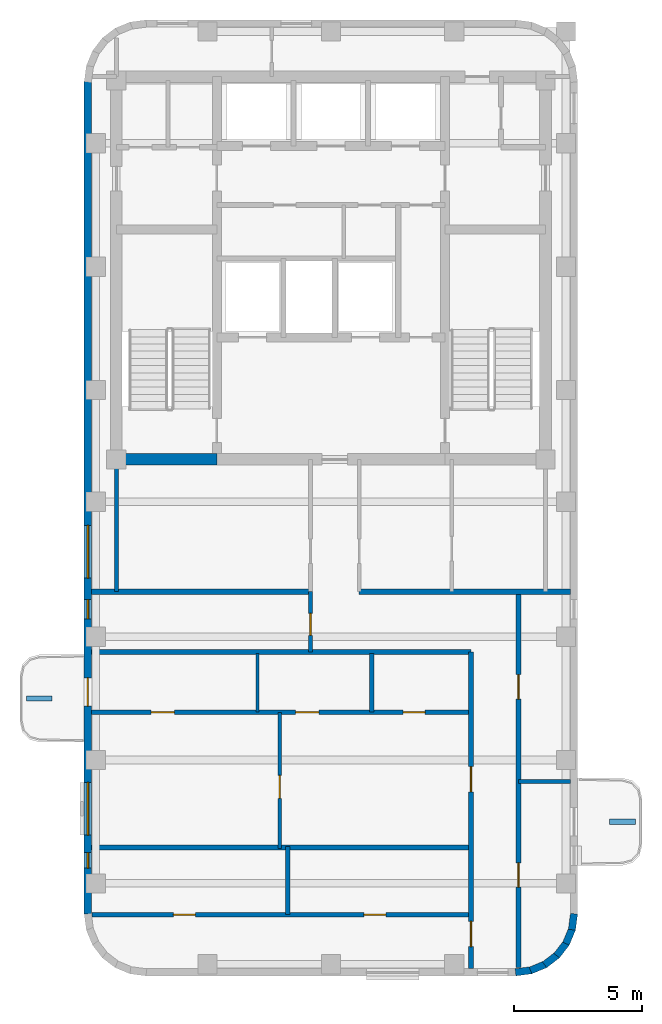
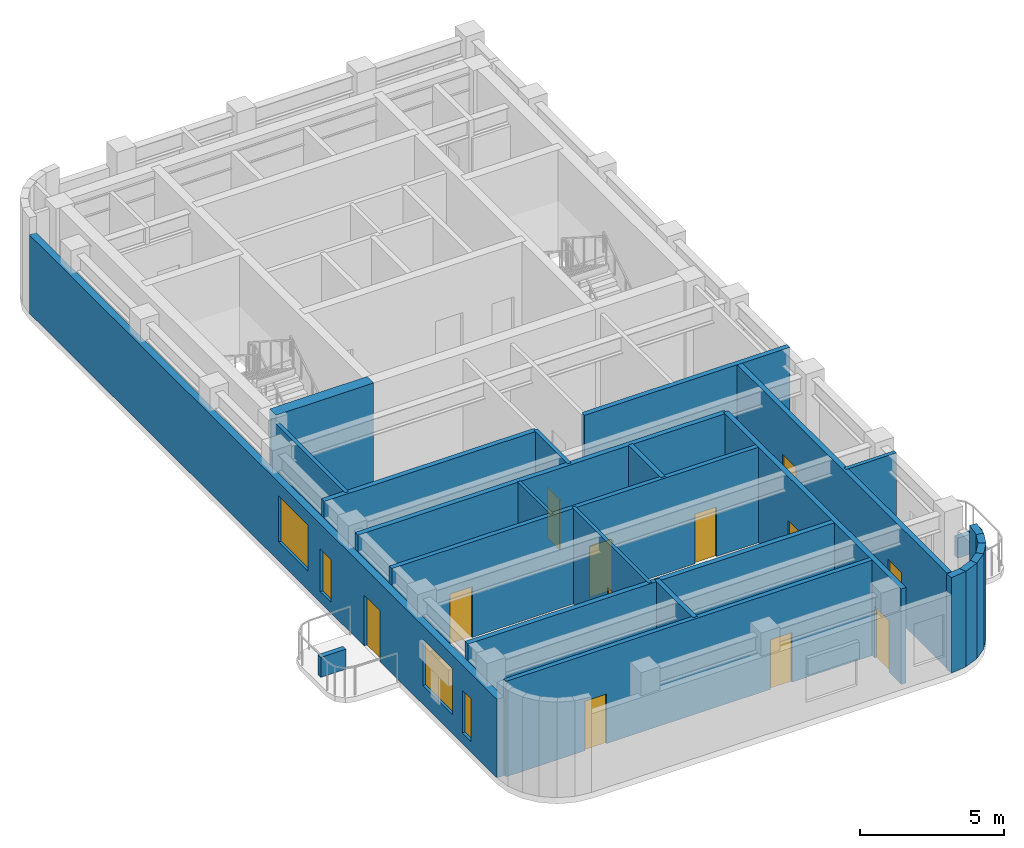
# One storey, part 2 of 5: 25 walls, 12 doors, 4 windows, 16 openings.
"""IFC4 building model written with IfcOpenShell, lengths in metres."""

from ifc_helpers import new_model, si_unit, direction, frame, frame_2d, origin, place, context, subcontext, project, spatial, rectangle, extrude, material, layer, layer_set, type_object, element, fill, save


model = new_model("IFC4")

# Units and contexts
model_context = context("Model", 3, precision=1e-05, world=origin(), true_north=direction((0.0, 1.0)))
body_context = subcontext(model_context, "Body", "Model", "MODEL_VIEW")
ifc_project = project(units=[si_unit("LENGTHUNIT", "METRE"), si_unit("AREAUNIT", "SQUARE_METRE"), si_unit("VOLUMEUNIT", "CUBIC_METRE"), si_unit("PLANEANGLEUNIT", "RADIAN"), si_unit("MASSUNIT", "GRAM", prefix="KILO")], contexts=[model_context])

# Site, building, storey
site_placement = place(None, origin())
site = spatial("IfcSite", under=ifc_project, at=site_placement, CompositionType="ELEMENT")
building_placement = place(site_placement, origin())
building = spatial("IfcBuilding", under=site, at=building_placement, Name="Orvandelia Arch Residences", CompositionType="ELEMENT")
storey_placement = place(building_placement, frame((0.0, 0.0, 282.800048828125)))
storey = spatial("IfcBuildingStorey", under=building, at=storey_placement, Name="L73", CompositionType="ELEMENT", Elevation=282.800048828125)

# Wall
ifc_material_1 = material(Name="Concrete C50/60", Category="concrete")
ifc_layer_1 = layer(ifc_material_1, 0.449951171875, Name="Concrete C50/60", Category="concrete")
ifc_layer_set_1 = layer_set([ifc_layer_1], Name="Concrete C50/60")
wall_type_1 = type_object("IfcWallType", Name="WL-CORE-450", PredefinedType="SHEAR", material=ifc_layer_set_1)
wall_1_placement = place(storey_placement, frame((6.050048828125, 30.89990234375, 0.0), z_axis=(0.0, 0.0, 1.0), x_axis=(1.0, 0.0, 0.0)))
element("IfcWall", 1, at=wall_1_placement, inside=storey, type_object=wall_type_1, Name="Core Shear Wall L73-SW", PredefinedType="SHEAR", context=body_context, shape_type="SweptSolid", body=[
    extrude(rectangle(XDim=3.909912109375, YDim=0.449951171875, at=frame_2d((1.955078125, 0.0))), origin(), (0.0, 0.0, 1.0), 4.300048828125),
])

# Wall, openings, doors
ifc_material_2 = material(Name="Fire-Rated Corridor Partition")
ifc_layer_2 = layer(ifc_material_2, 0.199951171875, Name="Fire-Rated Corridor Partition")
ifc_layer_set_2 = layer_set([ifc_layer_2], Name="Fire-Rated Corridor Partition")
wall_type_2 = type_object("IfcWallType", Name="WL-CORR-200", PredefinedType="PARTITIONING", material=ifc_layer_set_2)
wall_2_placement = place(storey_placement, frame((19.85009765625, 11.080078125, 0.0), z_axis=(0.0, 0.0, 1.0), x_axis=(0.0, 1.0, 0.0)))
wall_2 = element("IfcWall", 2, at=wall_2_placement, inside=storey, type_object=wall_type_2, Name="Interior Partition Wall WL-L73-WC-W", PredefinedType="PARTITIONING", context=body_context, shape_type="SweptSolid", body=[
    extrude(rectangle(XDim=12.31982421875, YDim=0.199951171875, at=frame_2d((6.159912109375, 0.0))), origin(), (0.0, 0.0, 1.0), 4.0400390625),
])
opening_1_placement = place(wall_2_placement, frame((0.860107421875, 0.0, 0.0)))
opening_1 = element("IfcOpeningElement", 3, at=opening_1_placement, cuts=wall_2, Name="Opening D1", PredefinedType="OPENING", context=body_context, shape_type="SweptSolid", body=[
    extrude(rectangle(XDim=0.97998046875, YDim=2.179931640625, at=frame_2d((0.489990234375, 1.08984375))), frame((0.0, 0.10986328125, 0.0), z_axis=(0.0, -1.0, 0.0), x_axis=(1.0, 0.0, 0.0)), (0.0, 0.0, 1.0), 0.219970703125),
])
opening_2_placement = place(wall_2_placement, frame((6.8798828125, 0.0, 0.0)))
opening_2 = element("IfcOpeningElement", 4, at=opening_2_placement, cuts=wall_2, Name="Opening D1", PredefinedType="OPENING", context=body_context, shape_type="SweptSolid", body=[
    extrude(rectangle(XDim=0.97998046875, YDim=2.179931640625, at=frame_2d((0.489990234375, 1.08984375))), frame((0.0, 0.10986328125, 0.0), z_axis=(0.0, -1.0, 0.0), x_axis=(1.0, 0.0, 0.0)), (0.0, 0.0, 1.0), 0.219970703125),
])
ifc_material_3 = material(Name="Solid-Core Timber Acoustic Fire Door", Category="wood")
door_type_1 = type_object("IfcDoorType", Name="DR-ENT-980", OperationType="NOTDEFINED", PredefinedType="DOOR", material=ifc_material_3)
door_1_placement = place(opening_1_placement, origin())
door_1 = element("IfcDoor", 5, at=door_1_placement, inside=storey, type_object=door_type_1, Name="Unit L73-01 Entrance Door", OperationType="SINGLE_SWING_LEFT", OverallHeight=2.179931640625, OverallWidth=0.97998046875, PredefinedType="DOOR", context=body_context, shape_type="SweptSolid", body=[
    extrude(rectangle(XDim=0.97998046875, YDim=2.179931640625, at=frame_2d((0.489990234375, 1.08984375))), frame((0.0, 0.02490234375, 0.0), z_axis=(0.0, -1.0, 0.0), x_axis=(1.0, 0.0, 0.0)), (0.0, 0.0, 1.0), 0.050048828125),
])
fill(opening_1, door_1)
door_2_placement = place(opening_2_placement, origin())
door_2 = element("IfcDoor", 6, at=door_2_placement, inside=storey, type_object=door_type_1, Name="Unit L73-02 Entrance Door", OperationType="SINGLE_SWING_RIGHT", OverallHeight=2.179931640625, OverallWidth=0.97998046875, PredefinedType="DOOR", context=body_context, shape_type="SweptSolid", body=[
    extrude(rectangle(XDim=0.97998046875, YDim=2.179931640625, at=frame_2d((0.489990234375, 1.08984375))), frame((0.0, 0.02490234375, 0.0), z_axis=(0.0, -1.0, 0.0), x_axis=(1.0, 0.0, 0.0)), (0.0, 0.0, 1.0), 0.050048828125),
])
fill(opening_2, door_2)

wall_3_placement = place(storey_placement, frame((21.699951171875, 11.1201171875, 0.0), z_axis=(0.0, 0.0, 1.0), x_axis=(0.0, 1.0, 0.0)))
wall_3 = element("IfcWall", 7, at=wall_3_placement, inside=storey, type_object=wall_type_2, Name="Interior Partition Wall WL-L73-WC-E", PredefinedType="PARTITIONING", context=body_context, shape_type="SweptSolid", body=[
    extrude(rectangle(XDim=14.6298828125, YDim=0.199951171875, at=frame_2d((7.31494140625, 0.0))), origin(), (0.0, 0.0, 1.0), 4.0400390625),
])
opening_3_placement = place(wall_3_placement, frame((3.1298828125, 0.0, 0.0)))
opening_3 = element("IfcOpeningElement", 8, at=opening_3_placement, cuts=wall_3, Name="Opening D2", PredefinedType="OPENING", context=body_context, shape_type="SweptSolid", body=[
    extrude(rectangle(XDim=0.949951171875, YDim=2.14990234375, at=frame_2d((0.47509765625, 1.074951171875))), frame((0.0, 0.10986328125, 0.0), z_axis=(0.0, -1.0, 0.0), x_axis=(1.0, 0.0, 0.0)), (0.0, 0.0, 1.0), 0.219970703125),
])
opening_4_placement = place(wall_3_placement, frame((10.449951171875, 0.0, 0.0)))
opening_4 = element("IfcOpeningElement", 9, at=opening_4_placement, cuts=wall_3, Name="Opening D2", PredefinedType="OPENING", context=body_context, shape_type="SweptSolid", body=[
    extrude(rectangle(XDim=0.949951171875, YDim=2.14990234375, at=frame_2d((0.47509765625, 1.074951171875))), frame((0.0, 0.10986328125, 0.0), z_axis=(0.0, -1.0, 0.0), x_axis=(1.0, 0.0, 0.0)), (0.0, 0.0, 1.0), 0.219970703125),
])
ifc_material_4 = material(Name="Solid-Core Timber Interior Fire Door", Category="wood")
door_type_2 = type_object("IfcDoorType", Name="DR-APT-950", OperationType="NOTDEFINED", PredefinedType="DOOR", material=ifc_material_4)
door_3_placement = place(opening_3_placement, origin())
door_3 = element("IfcDoor", 10, at=door_3_placement, inside=storey, type_object=door_type_2, Name="DR-L73-EGALV1", OperationType="SINGLE_SWING_LEFT", OverallHeight=2.14990234375, OverallWidth=0.949951171875, PredefinedType="DOOR", context=body_context, shape_type="SweptSolid", body=[
    extrude(rectangle(XDim=0.949951171875, YDim=2.14990234375, at=frame_2d((0.47509765625, 1.074951171875))), frame((0.0, 0.02490234375, 0.0), z_axis=(0.0, -1.0, 0.0), x_axis=(1.0, 0.0, 0.0)), (0.0, 0.0, 1.0), 0.050048828125),
])
fill(opening_3, door_3)
door_4_placement = place(opening_4_placement, origin())
door_4 = element("IfcDoor", 11, at=door_4_placement, inside=storey, type_object=door_type_2, Name="DR-L73-EGLDY1", OperationType="SINGLE_SWING_RIGHT", OverallHeight=2.14990234375, OverallWidth=0.949951171875, PredefinedType="DOOR", context=body_context, shape_type="SweptSolid", body=[
    extrude(rectangle(XDim=0.949951171875, YDim=2.14990234375, at=frame_2d((0.47509765625, 1.074951171875))), frame((0.0, 0.02490234375, 0.0), z_axis=(0.0, -1.0, 0.0), x_axis=(1.0, 0.0, 0.0)), (0.0, 0.0, 1.0), 0.050048828125),
])
fill(opening_4, door_4)

# Walls
wall_4_placement = place(storey_placement, frame((5.080078125, 23.39990234375, 0.0), z_axis=(0.0, 0.0, 1.0), x_axis=(1.0, 0.0, 0.0)))
element("IfcWall", 12, at=wall_4_placement, inside=storey, type_object=wall_type_2, Name="Interior Partition Wall WL-L73-WLNK-S", PredefinedType="PARTITIONING", context=body_context, shape_type="SweptSolid", body=[
    extrude(rectangle(XDim=14.77001953125, YDim=0.199951171875, at=frame_2d((7.385009765625, 0.0))), origin(), (0.0, 0.0, 1.0), 4.0400390625),
])
wall_5_placement = place(storey_placement, frame((15.5, 25.75, 0.0), z_axis=(0.0, 0.0, 1.0), x_axis=(1.0, 0.0, 0.0)))
element("IfcWall", 13, at=wall_5_placement, inside=storey, type_object=wall_type_2, Name="Interior Partition Wall WL-L73-WLNK-NE", PredefinedType="PARTITIONING", context=body_context, shape_type="SweptSolid", body=[
    extrude(rectangle(XDim=8.219970703125, YDim=0.199951171875, at=frame_2d((4.10986328125, 0.0))), origin(), (0.0, 0.0, 1.0), 4.0400390625),
])
wall_6_placement = place(storey_placement, frame((5.080078125, 25.75, 0.0), z_axis=(0.0, 0.0, 1.0), x_axis=(1.0, 0.0, 0.0)))
element("IfcWall", 14, at=wall_6_placement, inside=storey, type_object=wall_type_2, Name="Interior Partition Wall WL-L73-WLNK-NW2", PredefinedType="PARTITIONING", context=body_context, shape_type="SweptSolid", body=[
    extrude(rectangle(XDim=8.52001953125, YDim=0.199951171875, at=frame_2d((4.260009765625, 0.0))), origin(), (0.0, 0.0, 1.0), 4.0400390625),
])
ifc_material_5 = material(Name="Concrete C40/50", Category="concrete")
ifc_layer_3 = layer(ifc_material_5, 0.199951171875, Name="Concrete C40/50", Category="concrete")
ifc_layer_set_3 = layer_set([ifc_layer_3], Name="Concrete C40/50")
wall_type_3 = type_object("IfcWallType", Name="WL-DEM-200", PredefinedType="SOLIDWALL", material=ifc_layer_set_3)
wall_7_placement = place(storey_placement, frame((5.080078125, 15.800048828125, 0.0), z_axis=(0.0, 0.0, 1.0), x_axis=(1.0, 0.0, 0.0)))
element("IfcWall", 15, at=wall_7_placement, inside=storey, type_object=wall_type_3, Name="Interior Partition Wall WL-L73-DEM-WL-158", PredefinedType="SOLIDWALL", context=body_context, shape_type="SweptSolid", body=[
    extrude(rectangle(XDim=14.77001953125, YDim=0.199951171875, at=frame_2d((7.385009765625, 0.0))), origin(), (0.0, 0.0, 1.0), 4.0400390625),
])
ifc_material_6 = material(Name="Precast concrete C40/50", Category="concrete")
ifc_layer_4 = layer(ifc_material_6, 0.280029296875, Name="Precast concrete C40/50", Category="concrete")
ifc_layer_set_4 = layer_set([ifc_layer_4], Name="Precast concrete C40/50")
wall_type_4 = type_object("IfcWallType", Name="WL-EXT-STONE-280", PredefinedType="STANDARD", material=ifc_layer_set_4)
wall_8_placement = place(storey_placement, frame((23.861083984375, 13.21826171875, 0.0), z_axis=(0.0, 0.0, 1.0), x_axis=(-0.130555323746, -0.9914410257, 0.0)))
element("IfcWall", 16, at=wall_8_placement, inside=storey, type_object=wall_type_4, Name="Coral-Limestone Precast Facade Wall L73-015", PredefinedType="STANDARD", context=body_context, shape_type="SweptSolid", body=[
    extrude(rectangle(XDim=0.62646484375, YDim=0.280029296875, at=frame_2d((0.313232421875, 0.0))), origin(), (0.0, 0.0, 1.0), 4.0400390625),
])
wall_9_placement = place(storey_placement, frame((23.788818359375, 12.63232421875, 0.0), z_axis=(0.0, 0.0, 1.0), x_axis=(-0.382455093999, -0.923974080304, 0.0)))
element("IfcWall", 17, at=wall_9_placement, inside=storey, type_object=wall_type_4, Name="Coral-Limestone Precast Facade Wall L73-016", PredefinedType="STANDARD", context=body_context, shape_type="SweptSolid", body=[
    extrude(rectangle(XDim=0.626220703125, YDim=0.280029296875, at=frame_2d((0.31298828125, 0.0))), origin(), (0.0, 0.0, 1.0), 4.0400390625),
])
for number, where, z_axis, x_axis, name in (
    (18, (23.5673828125, 12.085205078125, 0.0), (0.0, 0.0, 1.0), (-0.608693302629, -0.793405610854, 0.0), "Coral-Limestone Precast Facade Wall L73-017"),
    (19, (23.2119140625, 11.614013671875, 0.0), (0.0, 0.0, 1.0), (-0.793405610854, -0.608693302629, 0.0), "Coral-Limestone Precast Facade Wall L73-018"),
    (20, (22.746337890625, 11.250732421875, 0.0), (0.0, 0.0, 1.0), (-0.92389335771, -0.382650053678, 0.0), "Coral-Limestone Precast Facade Wall L73-019"),
    (21, (22.202880859375, 11.0205078125, 0.0), (0.0, 0.0, 1.0), (-0.9914410257, -0.130555323746, 0.0), "Coral-Limestone Precast Facade Wall L73-020"),
):
    element("IfcWall", number, at=place(storey_placement, frame(where, z_axis=z_axis, x_axis=x_axis)), inside=storey, type_object=wall_type_4, Name=name, PredefinedType="STANDARD", context=body_context, shape_type="SweptSolid", body=[
        extrude(rectangle(XDim=0.62646484375, YDim=0.280029296875, at=frame_2d((0.313232421875, 0.0))), origin(), (0.0, 0.0, 1.0), 4.0400390625),
    ])

# Wall, openings, door, windows
wall_10_placement = place(storey_placement, frame((4.93994140625, 13.199951171875, 0.0), z_axis=(0.0, 0.0, 1.0), x_axis=(0.0, 1.0, 0.0)))
wall_10 = element("IfcWall", 22, at=wall_10_placement, inside=storey, type_object=wall_type_4, Name="Coral-Limestone Precast Facade Wall L73-028", PredefinedType="STANDARD", context=body_context, shape_type="SweptSolid", body=[
    extrude(rectangle(XDim=32.400146484375, YDim=0.280029296875, at=frame_2d((16.2001953125, 0.0))), origin(), (0.0, 0.0, 1.0), 3.320068359375),
])
opening_5_placement = place(wall_10_placement, frame((8.10009765625, 0.0, 0.0)))
opening_5 = element("IfcOpeningElement", 23, at=opening_5_placement, cuts=wall_10, Name="Opening BD1", PredefinedType="OPENING", context=body_context, shape_type="SweptSolid", body=[
    extrude(rectangle(XDim=1.10009765625, YDim=2.14990234375, at=frame_2d((0.550048828125, 1.074951171875))), frame((0.0, 0.14990234375, 0.0), z_axis=(0.0, -1.0, 0.0), x_axis=(1.0, 0.0, 0.0)), (0.0, 0.0, 1.0), 0.300048828125),
])
opening_6_placement = place(wall_10_placement, frame((1.797607421875, 0.0, 0.449951171875)))
opening_6 = element("IfcOpeningElement", 24, at=opening_6_placement, cuts=wall_10, Name="Opening W12", PredefinedType="OPENING", context=body_context, shape_type="SweptSolid", body=[
    extrude(rectangle(XDim=0.60009765625, YDim=1.800048828125, at=frame_2d((0.300048828125, 0.89990234375))), frame((0.0, 0.14990234375, 0.0), z_axis=(0.0, -1.0, 0.0), x_axis=(1.0, 0.0, 0.0)), (0.0, 0.0, 1.0), 0.300048828125),
])
opening_7_placement = place(wall_10_placement, frame((3.077392578125, 0.0, 0.800048828125)))
opening_7 = element("IfcOpeningElement", 25, at=opening_7_placement, cuts=wall_10, Name="Opening W8", PredefinedType="OPENING", context=body_context, shape_type="SweptSolid", body=[
    extrude(rectangle(XDim=2.050048828125, YDim=1.949951171875, at=frame_2d((1.02490234375, 0.97509765625))), frame((0.0, 0.14990234375, 0.0), z_axis=(0.0, -1.0, 0.0), x_axis=(1.0, 0.0, 0.0)), (0.0, 0.0, 1.0), 0.300048828125),
])
opening_8_placement = place(wall_10_placement, frame((13.08251953125, 0.0, 0.800048828125)))
opening_8 = element("IfcOpeningElement", 26, at=opening_8_placement, cuts=wall_10, Name="Opening W8", PredefinedType="OPENING", context=body_context, shape_type="SweptSolid", body=[
    extrude(rectangle(XDim=2.050048828125, YDim=1.949951171875, at=frame_2d((1.02490234375, 0.97509765625))), frame((0.0, 0.14990234375, 0.0), z_axis=(0.0, -1.0, 0.0), x_axis=(1.0, 0.0, 0.0)), (0.0, 0.0, 1.0), 0.300048828125),
])
opening_9_placement = place(wall_10_placement, frame((11.492431640625, 0.0, 0.449951171875)))
opening_9 = element("IfcOpeningElement", 27, at=opening_9_placement, cuts=wall_10, Name="Opening W11", PredefinedType="OPENING", context=body_context, shape_type="SweptSolid", body=[
    extrude(rectangle(XDim=0.75, YDim=1.800048828125, at=frame_2d((0.375, 0.89990234375))), frame((0.0, 0.14990234375, 0.0), z_axis=(0.0, -1.0, 0.0), x_axis=(1.0, 0.0, 0.0)), (0.0, 0.0, 1.0), 0.300048828125),
])
ifc_material_7 = material(Name="Thermally Broken Aluminium Glazed Door", Category="aluminium")
door_type_3 = type_object("IfcDoorType", Name="DR-BAL-GLAZ-1100", OperationType="NOTDEFINED", PredefinedType="DOOR", material=ifc_material_7)
door_5_placement = place(opening_5_placement, origin())
door_5 = element("IfcDoor", 28, at=door_5_placement, inside=storey, type_object=door_type_3, Name="Tree Balcony Glazed Door BAL-L73-W1", OperationType="SINGLE_SWING_RIGHT", OverallHeight=2.14990234375, OverallWidth=1.10009765625, PredefinedType="DOOR", context=body_context, shape_type="SweptSolid", body=[
    extrude(rectangle(XDim=1.10009765625, YDim=2.14990234375, at=frame_2d((0.550048828125, 1.074951171875))), frame((0.0, 0.02490234375, 0.0), z_axis=(0.0, -1.0, 0.0), x_axis=(1.0, 0.0, 0.0)), (0.0, 0.0, 1.0), 0.050048828125),
])
fill(opening_5, door_5)
ifc_material_8 = material(Name="Tempered Low-E Insulated Glazing", Category="glass")
window_type_1 = type_object("IfcWindowType", Name="WIN-BED-0750x1800", PartitioningType="SINGLE_PANEL", PredefinedType="WINDOW", material=ifc_material_8)
window_1_placement = place(opening_9_placement, origin())
window_1 = element("IfcWindow", 29, at=window_1_placement, inside=storey, type_object=window_type_1, Name="Recessed Punched Window L73-011", OverallHeight=1.800048828125, OverallWidth=0.75, PartitioningType="SINGLE_PANEL", PredefinedType="WINDOW", context=body_context, shape_type="SweptSolid", body=[
    extrude(rectangle(XDim=0.75, YDim=1.800048828125, at=frame_2d((0.375, 0.89990234375))), frame((0.0, 0.030029296875, 0.0), z_axis=(0.0, -1.0, 0.0), x_axis=(1.0, 0.0, 0.0)), (0.0, 0.0, 1.0), 0.06005859375),
])
fill(opening_9, window_1)
window_type_2 = type_object("IfcWindowType", Name="WIN-LAN-0600x1800", PartitioningType="SINGLE_PANEL", PredefinedType="WINDOW", material=ifc_material_8)
window_2_placement = place(opening_6_placement, origin())
window_2 = element("IfcWindow", 30, at=window_2_placement, inside=storey, type_object=window_type_2, Name="Recessed Punched Window L73-008", OverallHeight=1.800048828125, OverallWidth=0.60009765625, PartitioningType="SINGLE_PANEL", PredefinedType="WINDOW", context=body_context, shape_type="SweptSolid", body=[
    extrude(rectangle(XDim=0.60009765625, YDim=1.800048828125, at=frame_2d((0.300048828125, 0.89990234375))), frame((0.0, 0.030029296875, 0.0), z_axis=(0.0, -1.0, 0.0), x_axis=(1.0, 0.0, 0.0)), (0.0, 0.0, 1.0), 0.06005859375),
])
fill(opening_6, window_2)
window_type_3 = type_object("IfcWindowType", Name="WIN-UPP-2050x1950", PartitioningType="SINGLE_PANEL", PredefinedType="WINDOW", material=ifc_material_8)
window_3_placement = place(opening_7_placement, origin())
window_3 = element("IfcWindow", 31, at=window_3_placement, inside=storey, type_object=window_type_3, Name="Recessed Punched Window L73-009", OverallHeight=1.949951171875, OverallWidth=2.050048828125, PartitioningType="SINGLE_PANEL", PredefinedType="WINDOW", context=body_context, shape_type="SweptSolid", body=[
    extrude(rectangle(XDim=2.050048828125, YDim=1.949951171875, at=frame_2d((1.02490234375, 0.97509765625))), frame((0.0, 0.030029296875, 0.0), z_axis=(0.0, -1.0, 0.0), x_axis=(1.0, 0.0, 0.0)), (0.0, 0.0, 1.0), 0.06005859375),
])
fill(opening_7, window_3)
window_4_placement = place(opening_8_placement, origin())
window_4 = element("IfcWindow", 32, at=window_4_placement, inside=storey, type_object=window_type_3, Name="Recessed Punched Window L73-010", OverallHeight=1.949951171875, OverallWidth=2.050048828125, PartitioningType="SINGLE_PANEL", PredefinedType="WINDOW", context=body_context, shape_type="SweptSolid", body=[
    extrude(rectangle(XDim=2.050048828125, YDim=1.949951171875, at=frame_2d((1.02490234375, 0.97509765625))), frame((0.0, 0.030029296875, 0.0), z_axis=(0.0, -1.0, 0.0), x_axis=(1.0, 0.0, 0.0)), (0.0, 0.0, 1.0), 0.06005859375),
])
fill(opening_8, window_4)

# Wall
ifc_material_9 = material(Name="Lightweight Gypsum Stud Partition")
ifc_layer_5 = layer(ifc_material_9, 0.1201171875, Name="Lightweight Gypsum Stud Partition")
ifc_layer_set_5 = layer_set([ifc_layer_5], Name="Lightweight Gypsum Stud Partition")
wall_type_5 = type_object("IfcWallType", Name="WL-PART-120", PredefinedType="PARTITIONING", material=ifc_layer_set_5)
wall_11_placement = place(storey_placement, frame((11.541015625, 21.06005859375, 0.0), z_axis=(0.0, 0.0, 1.0), x_axis=(0.0, 1.0, 0.0)))
element("IfcWall", 33, at=wall_11_placement, inside=storey, type_object=wall_type_5, Name="Interior Partition Wall WL-L73-U02-V1", PredefinedType="PARTITIONING", context=body_context, shape_type="SweptSolid", body=[
    extrude(rectangle(XDim=2.280029296875, YDim=0.1201171875, at=frame_2d((1.14013671875, 0.0))), origin(), (0.0, 0.0, 1.0), 4.0400390625),
])

# Wall, opening, door
ifc_material_10 = material(Name="Double-Layer Acoustic Gypsum Partition")
ifc_layer_6 = layer(ifc_material_10, 0.135009765625, Name="Double-Layer Acoustic Gypsum Partition")
ifc_layer_set_6 = layer_set([ifc_layer_6], Name="Double-Layer Acoustic Gypsum Partition")
wall_type_6 = type_object("IfcWallType", Name="WL-PART-135", PredefinedType="PARTITIONING", material=ifc_layer_set_6)
wall_12_placement = place(storey_placement, frame((12.408935546875, 15.760009765625, 0.0), z_axis=(0.0, 0.0, 1.0), x_axis=(0.0, 1.0, 0.0)))
wall_12 = element("IfcWall", 34, at=wall_12_placement, inside=storey, type_object=wall_type_6, Name="Interior Partition Wall WL-L73-U02-DIN", PredefinedType="PARTITIONING", context=body_context, shape_type="SweptSolid", body=[
    extrude(rectangle(XDim=5.300048828125, YDim=0.135009765625, at=frame_2d((2.64990234375, 0.0))), origin(), (0.0, 0.0, 1.0), 4.0400390625),
])
opening_10_placement = place(wall_12_placement, frame((1.944091796875, 0.0, 0.0)))
opening_10 = element("IfcOpeningElement", 35, at=opening_10_placement, cuts=wall_12, Name="Opening D3", PredefinedType="OPENING", context=body_context, shape_type="SweptSolid", body=[
    extrude(rectangle(XDim=0.89990234375, YDim=2.14990234375, at=frame_2d((0.449951171875, 1.074951171875))), frame((0.0, 0.07763671875, 0.0), z_axis=(0.0, -1.0, 0.0), x_axis=(1.0, 0.0, 0.0)), (0.0, 0.0, 1.0), 0.155029296875),
])
ifc_material_11 = material(Name="Engineered Timber Flush Door", Category="wood")
door_type_4 = type_object("IfcDoorType", Name="DR-INT-900", OperationType="NOTDEFINED", PredefinedType="DOOR", material=ifc_material_11)
door_6_placement = place(opening_10_placement, origin())
door_6 = element("IfcDoor", 36, at=door_6_placement, inside=storey, type_object=door_type_4, Name="DR-L73-U02-DIN", OperationType="SINGLE_SWING_LEFT", OverallHeight=2.14990234375, OverallWidth=0.89990234375, PredefinedType="DOOR", context=body_context, shape_type="SweptSolid", body=[
    extrude(rectangle(XDim=0.89990234375, YDim=2.14990234375, at=frame_2d((0.449951171875, 1.074951171875))), frame((0.0, 0.02490234375, 0.0), z_axis=(0.0, -1.0, 0.0), x_axis=(1.0, 0.0, 0.0)), (0.0, 0.0, 1.0), 0.050048828125),
])
fill(opening_10, door_6)

# Wall
ifc_material_12 = material(Name="Acoustic Gypsum Stud Partition")
ifc_layer_7 = layer(ifc_material_12, 0.14990234375, Name="Acoustic Gypsum Stud Partition")
ifc_layer_set_7 = layer_set([ifc_layer_7], Name="Acoustic Gypsum Stud Partition")
wall_type_7 = type_object("IfcWallType", Name="WL-PART-150", PredefinedType="PARTITIONING", material=ifc_layer_set_7)
wall_13_placement = place(storey_placement, frame((6.050048828125, 25.75, 0.0), z_axis=(0.0, 0.0, 1.0), x_axis=(0.0, 1.0, 0.0)))
element("IfcWall", 37, at=wall_13_placement, inside=storey, type_object=wall_type_7, Name="Interior Partition Wall WL-L73-HI-WW", PredefinedType="PARTITIONING", context=body_context, shape_type="SweptSolid", body=[
    extrude(rectangle(XDim=5.14990234375, YDim=0.14990234375, at=frame_2d((2.574951171875, 0.0))), origin(), (0.0, 0.0, 1.0), 4.0400390625),
])

# Wall, opening, door
wall_14_placement = place(storey_placement, frame((13.60009765625, 23.39990234375, 0.0), z_axis=(0.0, 0.0, 1.0), x_axis=(0.0, 1.0, 0.0)))
wall_14 = element("IfcWall", 38, at=wall_14_placement, inside=storey, type_object=wall_type_7, Name="Interior Partition Wall WL-L73-WLNK-W", PredefinedType="PARTITIONING", context=body_context, shape_type="SweptSolid", body=[
    extrude(rectangle(XDim=2.35009765625, YDim=0.14990234375, at=frame_2d((1.175048828125, 0.0))), origin(), (0.0, 0.0, 1.0), 4.0400390625),
])
opening_11_placement = place(wall_14_placement, frame((0.64990234375, 0.0, 0.0)))
opening_11 = element("IfcOpeningElement", 39, at=opening_11_placement, cuts=wall_14, Name="Opening D4", PredefinedType="OPENING", context=body_context, shape_type="SweptSolid", body=[
    extrude(rectangle(XDim=0.860107421875, YDim=2.10009765625, at=frame_2d((0.43017578125, 1.050048828125))), frame((0.0, 0.0849609375, 0.0), z_axis=(0.0, -1.0, 0.0), x_axis=(1.0, 0.0, 0.0)), (0.0, 0.0, 1.0), 0.169921875),
])
ifc_material_13 = material(Name="Moisture-Sealed Timber Bathroom Door", Category="wood")
door_type_5 = type_object("IfcDoorType", Name="DR-WET-900", OperationType="NOTDEFINED", PredefinedType="DOOR", material=ifc_material_13)
door_7_placement = place(opening_11_placement, origin())
door_7 = element("IfcDoor", 40, at=door_7_placement, inside=storey, type_object=door_type_5, Name="DR-L73-WLNKST", OperationType="SINGLE_SWING_LEFT", OverallHeight=2.10009765625, OverallWidth=0.860107421875, PredefinedType="DOOR", context=body_context, shape_type="SweptSolid", body=[
    extrude(rectangle(XDim=0.860107421875, YDim=2.10009765625, at=frame_2d((0.43017578125, 1.050048828125))), frame((0.0, 0.02490234375, 0.0), z_axis=(0.0, -1.0, 0.0), x_axis=(1.0, 0.0, 0.0)), (0.0, 0.0, 1.0), 0.050048828125),
])
fill(opening_11, door_7)

# Walls
wall_15_placement = place(storey_placement, frame((21.699951171875, 18.360107421875, 0.0), z_axis=(0.0, 0.0, 1.0), x_axis=(1.0, 0.0, 0.0)))
element("IfcWall", 41, at=wall_15_placement, inside=storey, type_object=wall_type_7, Name="Interior Partition Wall WL-L73-EGDIV-1", PredefinedType="PARTITIONING", context=body_context, shape_type="SweptSolid", body=[
    extrude(rectangle(XDim=2.02001953125, YDim=0.14990234375, at=frame_2d((1.010009765625, 0.0))), origin(), (0.0, 0.0, 1.0), 4.0400390625),
])
ifc_layer_8 = layer(ifc_material_6, 0.199951171875, Name="Precast concrete C40/50", Category="concrete")
ifc_layer_set_8 = layer_set([ifc_layer_8], Name="Precast concrete C40/50")
wall_type_8 = type_object("IfcWallType", Name="WL-PLANTER-200", PredefinedType="MOVABLE", material=ifc_layer_set_8)
for number, where, z_axis, x_axis, name in (
    (42, (2.550048828125, 21.60009765625, 0.0), (0.0, 0.0, 1.0), (1.0, 0.0, 0.0), "Balcony Precast Tree Planter BAL-L73-W1"),
    (43, (25.25, 16.800048828125, 0.0), (0.0, 0.0, 1.0), (1.0, 0.0, 0.0), "Balcony Precast Tree Planter BAL-L73-W2"),
):
    element("IfcWall", number, at=place(storey_placement, frame(where, z_axis=z_axis, x_axis=x_axis)), inside=storey, type_object=wall_type_8, Name=name, PredefinedType="MOVABLE", context=body_context, shape_type="SweptSolid", body=[
        extrude(rectangle(XDim=1.0, YDim=0.199951171875, at=frame_2d((0.5, 0.0))), origin(), (0.0, 0.0, 1.0), 0.849853515625),
    ])

# Wall, openings, doors
ifc_material_14 = material(Name="Moisture-Resistant Plumbing Wall")
ifc_layer_9 = layer(ifc_material_14, 0.179931640625, Name="Moisture-Resistant Plumbing Wall")
ifc_layer_set_9 = layer_set([ifc_layer_9], Name="Moisture-Resistant Plumbing Wall")
wall_type_9 = type_object("IfcWallType", Name="WL-WET-180", PredefinedType="PLUMBINGWALL", material=ifc_layer_set_9)
wall_16_placement = place(storey_placement, frame((5.10009765625, 13.179931640625, 0.0), z_axis=(0.0, 0.0, 1.0), x_axis=(1.0, 0.0, 0.0)))
wall_16 = element("IfcWall", 44, at=wall_16_placement, inside=storey, type_object=wall_type_9, Name="Interior Partition Wall WL-L73-U01-HZ", PredefinedType="PLUMBINGWALL", context=body_context, shape_type="SweptSolid", body=[
    extrude(rectangle(XDim=14.68994140625, YDim=0.179931640625, at=frame_2d((7.344970703125, 0.0))), origin(), (0.0, 0.0, 1.0), 4.0400390625),
])
opening_12_placement = place(wall_16_placement, frame((3.1650390625, 0.0, 0.0)))
opening_12 = element("IfcOpeningElement", 45, at=opening_12_placement, cuts=wall_16, Name="Opening D4", PredefinedType="OPENING", context=body_context, shape_type="SweptSolid", body=[
    extrude(rectangle(XDim=0.860107421875, YDim=2.10009765625, at=frame_2d((0.43017578125, 1.050048828125))), frame((0.0, 0.10009765625, 0.0), z_axis=(0.0, -1.0, 0.0), x_axis=(1.0, 0.0, 0.0)), (0.0, 0.0, 1.0), 0.199951171875),
])
opening_13_placement = place(wall_16_placement, frame((10.580078125, 0.0, 0.0)))
opening_13 = element("IfcOpeningElement", 46, at=opening_13_placement, cuts=wall_16, Name="Opening D4", PredefinedType="OPENING", context=body_context, shape_type="SweptSolid", body=[
    extrude(rectangle(XDim=0.860107421875, YDim=2.10009765625, at=frame_2d((0.43017578125, 1.050048828125))), frame((0.0, 0.10009765625, 0.0), z_axis=(0.0, -1.0, 0.0), x_axis=(1.0, 0.0, 0.0)), (0.0, 0.0, 1.0), 0.199951171875),
])
door_8_placement = place(opening_12_placement, origin())
door_8 = element("IfcDoor", 47, at=door_8_placement, inside=storey, type_object=door_type_5, Name="DR-L73-U01-KIT", OperationType="SINGLE_SWING_LEFT", OverallHeight=2.10009765625, OverallWidth=0.860107421875, PredefinedType="DOOR", context=body_context, shape_type="SweptSolid", body=[
    extrude(rectangle(XDim=0.860107421875, YDim=2.10009765625, at=frame_2d((0.43017578125, 1.050048828125))), frame((0.0, 0.02490234375, 0.0), z_axis=(0.0, -1.0, 0.0), x_axis=(1.0, 0.0, 0.0)), (0.0, 0.0, 1.0), 0.050048828125),
])
fill(opening_12, door_8)
door_9_placement = place(opening_13_placement, origin())
door_9 = element("IfcDoor", 48, at=door_9_placement, inside=storey, type_object=door_type_5, Name="DR-L73-U01-BTH", OperationType="SINGLE_SWING_RIGHT", OverallHeight=2.10009765625, OverallWidth=0.860107421875, PredefinedType="DOOR", context=body_context, shape_type="SweptSolid", body=[
    extrude(rectangle(XDim=0.860107421875, YDim=2.10009765625, at=frame_2d((0.43017578125, 1.050048828125))), frame((0.0, 0.02490234375, 0.0), z_axis=(0.0, -1.0, 0.0), x_axis=(1.0, 0.0, 0.0)), (0.0, 0.0, 1.0), 0.050048828125),
])
fill(opening_13, door_9)

# Wall
wall_17_placement = place(storey_placement, frame((12.719970703125, 13.179931640625, 0.0), z_axis=(0.0, 0.0, 1.0), x_axis=(0.0, 1.0, 0.0)))
element("IfcWall", 49, at=wall_17_placement, inside=storey, type_object=wall_type_9, Name="Interior Partition Wall WL-L73-U01-V1", PredefinedType="PLUMBINGWALL", context=body_context, shape_type="SweptSolid", body=[
    extrude(rectangle(XDim=2.66015625, YDim=0.179931640625, at=frame_2d((1.330078125, 0.0))), origin(), (0.0, 0.0, 1.0), 4.0400390625),
])

# Wall, openings, doors
wall_18_placement = place(storey_placement, frame((5.080078125, 21.06005859375, 0.0), z_axis=(0.0, 0.0, 1.0), x_axis=(1.0, 0.0, 0.0)))
wall_18 = element("IfcWall", 50, at=wall_18_placement, inside=storey, type_object=wall_type_9, Name="Interior Partition Wall WL-L73-U02-HZ", PredefinedType="PLUMBINGWALL", context=body_context, shape_type="SweptSolid", body=[
    extrude(rectangle(XDim=14.7099609375, YDim=0.179931640625, at=frame_2d((7.35498046875, 0.0))), origin(), (0.0, 0.0, 1.0), 4.0400390625),
])
opening_14_placement = place(wall_18_placement, frame((2.323974609375, 0.0, 0.0)))
opening_14 = element("IfcOpeningElement", 51, at=opening_14_placement, cuts=wall_18, Name="Opening D3", PredefinedType="OPENING", context=body_context, shape_type="SweptSolid", body=[
    extrude(rectangle(XDim=0.89990234375, YDim=2.14990234375, at=frame_2d((0.449951171875, 1.074951171875))), frame((0.0, 0.10009765625, 0.0), z_axis=(0.0, -1.0, 0.0), x_axis=(1.0, 0.0, 0.0)), (0.0, 0.0, 1.0), 0.199951171875),
])
opening_15_placement = place(wall_18_placement, frame((7.94775390625, 0.0, 0.0)))
opening_15 = element("IfcOpeningElement", 52, at=opening_15_placement, cuts=wall_18, Name="Opening D3", PredefinedType="OPENING", context=body_context, shape_type="SweptSolid", body=[
    extrude(rectangle(XDim=0.89990234375, YDim=2.14990234375, at=frame_2d((0.449951171875, 1.074951171875))), frame((0.0, 0.10009765625, 0.0), z_axis=(0.0, -1.0, 0.0), x_axis=(1.0, 0.0, 0.0)), (0.0, 0.0, 1.0), 0.199951171875),
])
opening_16_placement = place(wall_18_placement, frame((12.127685546875, 0.0, 0.0)))
opening_16 = element("IfcOpeningElement", 53, at=opening_16_placement, cuts=wall_18, Name="Opening D4", PredefinedType="OPENING", context=body_context, shape_type="SweptSolid", body=[
    extrude(rectangle(XDim=0.860107421875, YDim=2.10009765625, at=frame_2d((0.43017578125, 1.050048828125))), frame((0.0, 0.10009765625, 0.0), z_axis=(0.0, -1.0, 0.0), x_axis=(1.0, 0.0, 0.0)), (0.0, 0.0, 1.0), 0.199951171875),
])
door_10_placement = place(opening_14_placement, origin())
door_10 = element("IfcDoor", 54, at=door_10_placement, inside=storey, type_object=door_type_4, Name="DR-L73-U02-BD1", OperationType="SINGLE_SWING_RIGHT", OverallHeight=2.14990234375, OverallWidth=0.89990234375, PredefinedType="DOOR", context=body_context, shape_type="SweptSolid", body=[
    extrude(rectangle(XDim=0.89990234375, YDim=2.14990234375, at=frame_2d((0.449951171875, 1.074951171875))), frame((0.0, 0.02490234375, 0.0), z_axis=(0.0, -1.0, 0.0), x_axis=(1.0, 0.0, 0.0)), (0.0, 0.0, 1.0), 0.050048828125),
])
fill(opening_14, door_10)
door_11_placement = place(opening_15_placement, origin())
door_11 = element("IfcDoor", 55, at=door_11_placement, inside=storey, type_object=door_type_4, Name="DR-L73-U02-KIT", OperationType="SINGLE_SWING_LEFT", OverallHeight=2.14990234375, OverallWidth=0.89990234375, PredefinedType="DOOR", context=body_context, shape_type="SweptSolid", body=[
    extrude(rectangle(XDim=0.89990234375, YDim=2.14990234375, at=frame_2d((0.449951171875, 1.074951171875))), frame((0.0, 0.02490234375, 0.0), z_axis=(0.0, -1.0, 0.0), x_axis=(1.0, 0.0, 0.0)), (0.0, 0.0, 1.0), 0.050048828125),
])
fill(opening_15, door_11)
door_12_placement = place(opening_16_placement, origin())
door_12 = element("IfcDoor", 56, at=door_12_placement, inside=storey, type_object=door_type_5, Name="DR-L73-U02-BTH", OperationType="SINGLE_SWING_RIGHT", OverallHeight=2.10009765625, OverallWidth=0.860107421875, PredefinedType="DOOR", context=body_context, shape_type="SweptSolid", body=[
    extrude(rectangle(XDim=0.860107421875, YDim=2.10009765625, at=frame_2d((0.43017578125, 1.050048828125))), frame((0.0, 0.02490234375, 0.0), z_axis=(0.0, -1.0, 0.0), x_axis=(1.0, 0.0, 0.0)), (0.0, 0.0, 1.0), 0.050048828125),
])
fill(opening_16, door_12)

# Wall
wall_19_placement = place(storey_placement, frame((15.9951171875, 21.06005859375, 0.0), z_axis=(0.0, 0.0, 1.0), x_axis=(0.0, 1.0, 0.0)))
element("IfcWall", 57, at=wall_19_placement, inside=storey, type_object=wall_type_9, Name="Interior Partition Wall WL-L73-U02-V2", PredefinedType="PLUMBINGWALL", context=body_context, shape_type="SweptSolid", body=[
    extrude(rectangle(XDim=2.280029296875, YDim=0.179931640625, at=frame_2d((1.14013671875, 0.0))), origin(), (0.0, 0.0, 1.0), 4.0400390625),
])

save(model, "model.ifc")
